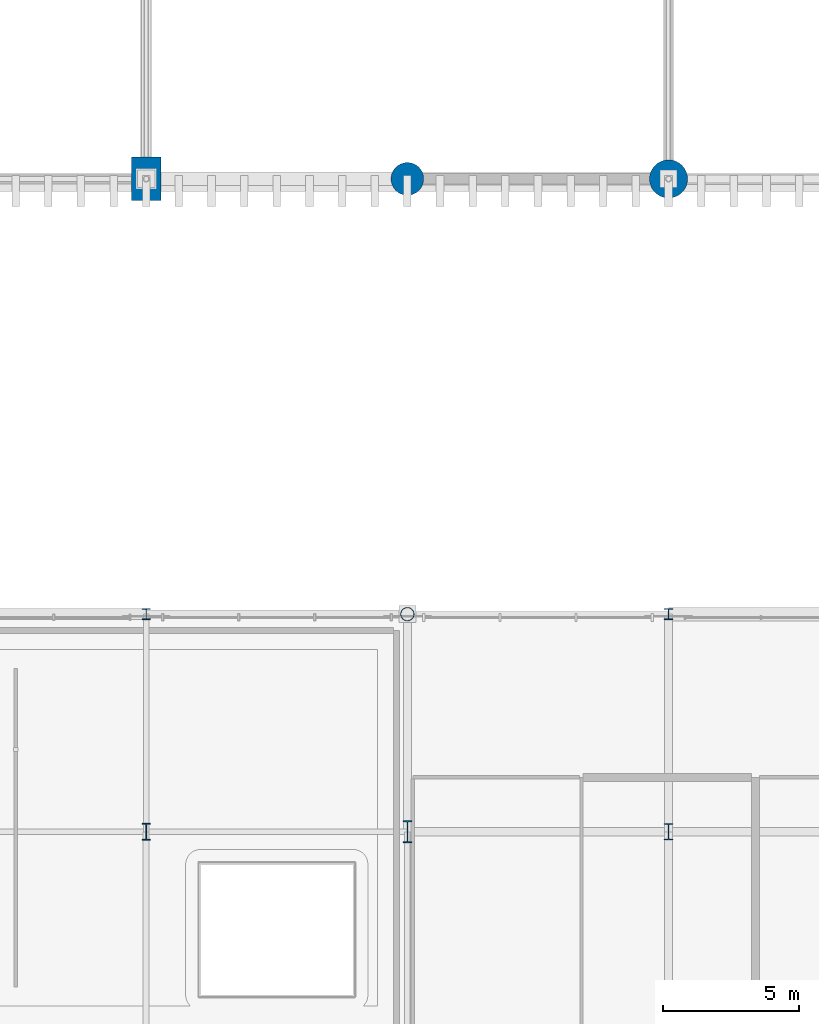
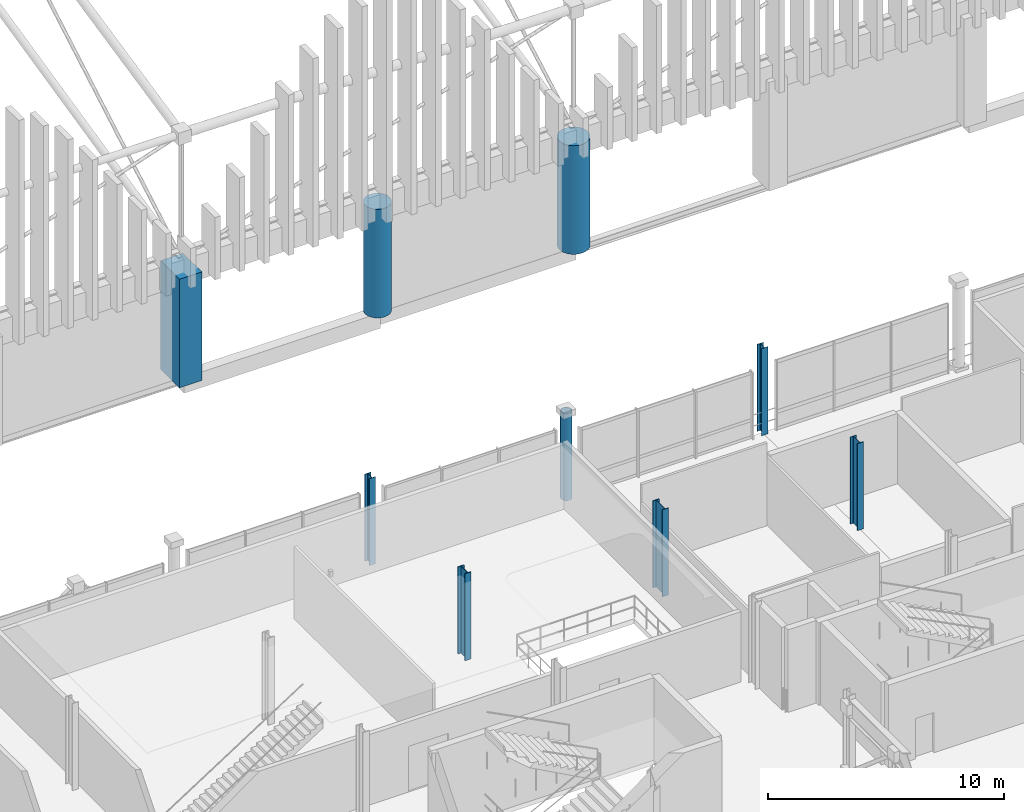
# One storey, part 4 of 193: 9 columns.
"""IFC4 building model written with IfcOpenShell, lengths in metres."""

from ifc_helpers import new_model, si_unit, direction, frame, origin, origin_2d, place, context, subcontext, project, spatial, rectangle, circle, hollow_circle, i_section, extrude, material, material_profile, profile_set, type_object, element, save


model = new_model("IFC4")

# Units and contexts
model_context = context("Model", 3, precision=1e-05, world=origin(), true_north=direction((0.0, 1.0)))
body_context = subcontext(model_context, "Body", "Model", "MODEL_VIEW")
ifc_project = project(units=[si_unit("LENGTHUNIT", "METRE"), si_unit("AREAUNIT", "SQUARE_METRE"), si_unit("VOLUMEUNIT", "CUBIC_METRE"), si_unit("PLANEANGLEUNIT", "RADIAN"), si_unit("MASSUNIT", "GRAM", prefix="KILO")], contexts=[model_context])

# Site, building, storey
site_placement = place(None, origin())
site = spatial("IfcSite", under=ifc_project, at=site_placement, CompositionType="ELEMENT")
building_placement = place(site_placement, origin())
building = spatial("IfcBuilding", under=site, at=building_placement, Name="Danafjord Basin Convention Centre", CompositionType="ELEMENT")
storey_placement = place(building_placement, frame((0.0, 0.0, 11.39990234375)))
storey = spatial("IfcBuildingStorey", under=building, at=storey_placement, Name="L02", CompositionType="ELEMENT", Elevation=11.39990234375)

# Columns
ifc_material_1 = material(Name="Steel S355", Category="steel")
ifc_material_profile_1 = material_profile(ifc_material_1, hollow_circle(Radius=0.25390625, WallThickness=0.02490234375, at=origin_2d()), Name="CHS 508.0x25.0")
ifc_profile_set_1 = profile_set([ifc_material_profile_1], Name="Steel S355")
column_type_1 = type_object("IfcColumnType", Name="COL-C-CHS508", PredefinedType="COLUMN", material=ifc_profile_set_1)
column_1_placement = place(storey_placement, frame((48.0, 40.0, 0.0), z_axis=(0.0, 0.0, 1.0), x_axis=(1.0, 0.0, 0.0)))
element("IfcColumn", 1, at=column_1_placement, inside=storey, type_object=column_type_1, Name="L02 column C-CHS508 at (48.0, 40.0)", PredefinedType="COLUMN", context=body_context, shape_type="SweptSolid", body=[
    extrude(hollow_circle(Radius=0.25390625, WallThickness=0.02490234375, at=origin_2d()), origin(), (0.0, 0.0, 1.0), 4.5),
])
ifc_material_profile_2 = material_profile(ifc_material_1, i_section(OverallWidth=0.300048828125, OverallDepth=0.39990234375, WebThickness=0.013427734375, FlangeThickness=0.02392578125, FilletRadius=0.027099609375, at=origin_2d()), Name="HEB 400")
ifc_profile_set_2 = profile_set([ifc_material_profile_2], Name="Steel S355")
column_type_2 = type_object("IfcColumnType", Name="COL-C-HEB400", PredefinedType="COLUMN", material=ifc_profile_set_2)
for number, where, z_axis, x_axis, name in (
    (2, (38.39990234375, 40.0, 0.0), (0.0, 0.0, 1.0), (1.0, 0.0, 0.0), "L02 column C-HEB400 at (38.4, 40.0)"),
    (3, (57.60009765625, 40.0, 0.0), (0.0, 0.0, 1.0), (1.0, 0.0, 0.0), "L02 column C-HEB400 at (57.6, 40.0)"),
):
    element("IfcColumn", number, at=place(storey_placement, frame(where, z_axis=z_axis, x_axis=x_axis)), inside=storey, type_object=column_type_2, Name=name, PredefinedType="COLUMN", context=body_context, shape_type="SweptSolid", body=[
        extrude(i_section(OverallWidth=0.300048828125, OverallDepth=0.39990234375, WebThickness=0.013427734375, FlangeThickness=0.02392578125, FilletRadius=0.027099609375, at=origin_2d()), origin(), (0.0, 0.0, 1.0), 4.5),
    ])
ifc_material_profile_3 = material_profile(ifc_material_1, i_section(OverallWidth=0.300048828125, OverallDepth=0.60009765625, WebThickness=0.015380859375, FlangeThickness=0.030029296875, FilletRadius=0.027099609375, at=origin_2d()), Name="HEB 600")
ifc_profile_set_3 = profile_set([ifc_material_profile_3], Name="Steel S355")
column_type_3 = type_object("IfcColumnType", Name="COL-C-HEB600", PredefinedType="COLUMN", material=ifc_profile_set_3)
column_2_placement = place(storey_placement, frame((57.60009765625, 32.0, 0.0), z_axis=(0.0, 0.0, 1.0), x_axis=(1.0, 0.0, 0.0)))
element("IfcColumn", 4, at=column_2_placement, inside=storey, type_object=column_type_3, Name="L02 column C-HEB600 at (57.6, 32.0)", PredefinedType="COLUMN", context=body_context, shape_type="SweptSolid", body=[
    extrude(i_section(OverallWidth=0.300048828125, OverallDepth=0.60009765625, WebThickness=0.015380859375, FlangeThickness=0.030029296875, FilletRadius=0.027099609375, at=origin_2d()), origin(), (0.0, 0.0, 1.0), 4.5),
])
ifc_material_profile_4 = material_profile(ifc_material_1, i_section(OverallWidth=0.304931640625, OverallDepth=0.6201171875, WebThickness=0.02099609375, FlangeThickness=0.0400390625, FilletRadius=0.027099609375, at=origin_2d()), Name="HEM 600")
ifc_profile_set_4 = profile_set([ifc_material_profile_4], Name="Steel S355")
column_type_4 = type_object("IfcColumnType", Name="COL-C-HEM600", PredefinedType="COLUMN", material=ifc_profile_set_4)
column_3_placement = place(storey_placement, frame((38.39990234375, 32.0, 0.0), z_axis=(0.0, 0.0, 1.0), x_axis=(1.0, 0.0, 0.0)))
element("IfcColumn", 5, at=column_3_placement, inside=storey, type_object=column_type_4, Name="L02 column C-HEM600 at (38.4, 32.0)", PredefinedType="COLUMN", context=body_context, shape_type="SweptSolid", body=[
    extrude(i_section(OverallWidth=0.304931640625, OverallDepth=0.6201171875, WebThickness=0.02099609375, FlangeThickness=0.0400390625, FilletRadius=0.027099609375, at=origin_2d()), origin(), (0.0, 0.0, 1.0), 4.5),
])
ifc_material_profile_5 = material_profile(ifc_material_1, i_section(OverallWidth=0.302978515625, OverallDepth=0.81396484375, WebThickness=0.02099609375, FlangeThickness=0.0400390625, FilletRadius=0.030029296875, at=origin_2d()), Name="HEM 800")
ifc_profile_set_5 = profile_set([ifc_material_profile_5], Name="Steel S355")
column_type_5 = type_object("IfcColumnType", Name="COL-C-HEM800", PredefinedType="COLUMN", material=ifc_profile_set_5)
column_4_placement = place(storey_placement, frame((48.0, 32.0, 0.0), z_axis=(0.0, 0.0, 1.0), x_axis=(1.0, 0.0, 0.0)))
element("IfcColumn", 6, at=column_4_placement, inside=storey, type_object=column_type_5, Name="L02 column C-HEM800 at (48.0, 32.0)", PredefinedType="COLUMN", context=body_context, shape_type="SweptSolid", body=[
    extrude(i_section(OverallWidth=0.302978515625, OverallDepth=0.81396484375, WebThickness=0.02099609375, FlangeThickness=0.0400390625, FilletRadius=0.030029296875, at=origin_2d()), origin(), (0.0, 0.0, 1.0), 4.5),
])
ifc_material_2 = material(Name="Concrete C50/60", Category="concrete")
ifc_material_profile_6 = material_profile(ifc_material_2, rectangle(XDim=1.10009765625, YDim=1.60009765625, at=origin_2d()), Name="RC 1600x1100")
ifc_profile_set_6 = profile_set([ifc_material_profile_6], Name="Concrete C50/60")
column_type_6 = type_object("IfcColumnType", Name="COL-C-RC1600", PredefinedType="COLUMN", material=ifc_profile_set_6)
column_5_placement = place(storey_placement, frame((38.39990234375, 56.0, 0.0), z_axis=(0.0, 0.0, 1.0), x_axis=(1.0, 0.0, 0.0)))
element("IfcColumn", 7, at=column_5_placement, inside=storey, type_object=column_type_6, Name="L02 column C-RC1600 at (38.4, 56.0)", PredefinedType="COLUMN", context=body_context, shape_type="SweptSolid", body=[
    extrude(rectangle(XDim=1.10009765625, YDim=1.60009765625, at=origin_2d()), origin(), (0.0, 0.0, 1.0), 5.6201171875),
])
ifc_material_profile_7 = material_profile(ifc_material_2, circle(Radius=0.60009765625, at=origin_2d()), Name="RC D1200")
ifc_profile_set_7 = profile_set([ifc_material_profile_7], Name="Concrete C50/60")
column_type_7 = type_object("IfcColumnType", Name="COL-C-RCD1200", PredefinedType="COLUMN", material=ifc_profile_set_7)
column_6_placement = place(storey_placement, frame((48.0, 56.0, 0.0), z_axis=(0.0, 0.0, 1.0), x_axis=(1.0, 0.0, 0.0)))
element("IfcColumn", 8, at=column_6_placement, inside=storey, type_object=column_type_7, Name="L02 column C-RCD1200 at (48.0, 56.0)", PredefinedType="COLUMN", context=body_context, shape_type="SweptSolid", body=[
    extrude(circle(Radius=0.60009765625, at=origin_2d()), origin(), (0.0, 0.0, 1.0), 5.6201171875),
])
ifc_material_profile_8 = material_profile(ifc_material_2, circle(Radius=0.699951171875, at=origin_2d()), Name="RC D1400")
ifc_profile_set_8 = profile_set([ifc_material_profile_8], Name="Concrete C50/60")
column_type_8 = type_object("IfcColumnType", Name="COL-C-RCD1400", PredefinedType="COLUMN", material=ifc_profile_set_8)
column_7_placement = place(storey_placement, frame((57.60009765625, 56.0, 0.0), z_axis=(0.0, 0.0, 1.0), x_axis=(1.0, 0.0, 0.0)))
element("IfcColumn", 9, at=column_7_placement, inside=storey, type_object=column_type_8, Name="L02 column C-RCD1400 at (57.6, 56.0)", PredefinedType="COLUMN", context=body_context, shape_type="SweptSolid", body=[
    extrude(circle(Radius=0.699951171875, at=origin_2d()), origin(), (0.0, 0.0, 1.0), 5.6201171875),
])

save(model, "model.ifc")
